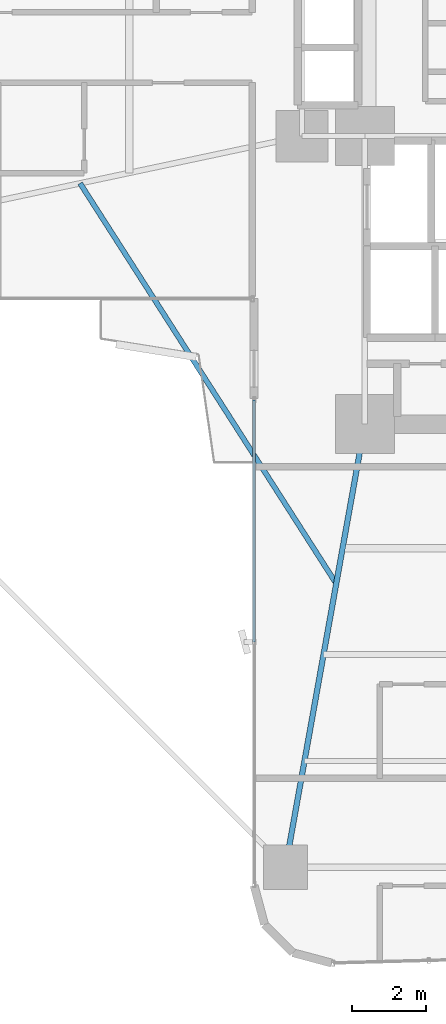
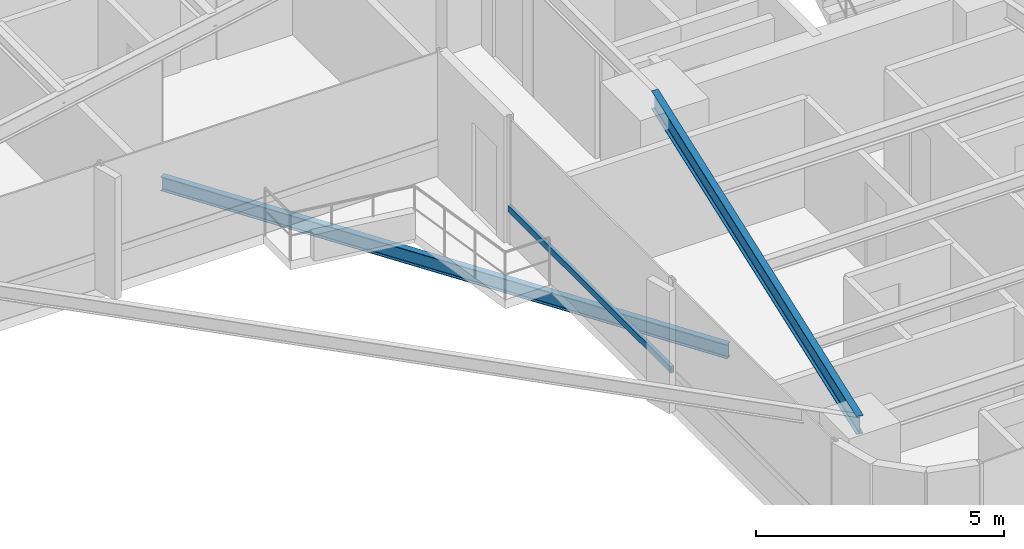
# One storey, part 3 of 25: 2 beams, 1 member, 1 element without a shape of its own.
"""IFC4 building model written with IfcOpenShell, lengths in metres."""

from ifc_helpers import new_model, si_unit, direction, frame, origin, origin_2d, place, context, subcontext, project, spatial, hollow_rectangle, i_section, extrude, source, transform, mapped, material, material_profile, profile_set, type_object, element, aggregate, save


model = new_model("IFC4")

# Units and contexts
model_context = context("Model", 3, precision=1e-05, world=origin(), true_north=direction((0.0, 1.0)))
body_context = subcontext(model_context, "Body", "Model", "MODEL_VIEW")
ifc_project = project(units=[si_unit("LENGTHUNIT", "METRE"), si_unit("AREAUNIT", "SQUARE_METRE"), si_unit("VOLUMEUNIT", "CUBIC_METRE"), si_unit("PLANEANGLEUNIT", "RADIAN"), si_unit("MASSUNIT", "GRAM", prefix="KILO")], contexts=[model_context])

# Site, building, storey
site_placement = place(None, origin())
site = spatial("IfcSite", under=ifc_project, at=site_placement, CompositionType="ELEMENT")
building_placement = place(site_placement, origin())
building = spatial("IfcBuilding", under=site, at=building_placement, Name="Sahyath Konkavel Grand Hotel", CompositionType="ELEMENT")
storey_placement = place(building_placement, frame((0.0, 0.0, 67.800048828125)))
storey = spatial("IfcBuildingStorey", under=building, at=storey_placement, Name="L18", CompositionType="ELEMENT", Elevation=67.800048828125)

# Beam
ifc_material_1 = material(Name="Steel E350", Category="steel")
ifc_material_profile_1 = material_profile(ifc_material_1, i_section(OverallWidth=0.14990234375, OverallDepth=0.449951171875, WebThickness=0.009521484375, FlangeThickness=0.017333984375, FilletRadius=0.014892578125, at=origin_2d()), Name="ISMB 450")
ifc_profile_set_1 = profile_set([ifc_material_profile_1], Name="Steel E350")
beam_type_1 = type_object("IfcBeamType", Name="BM-ISMB450", PredefinedType="BEAM", material=ifc_profile_set_1)
shared_shape_1 = source(origin(), body_context, "Body", "SweptSolid", [
    extrude(i_section(OverallWidth=0.14990234375, OverallDepth=0.449951171875, WebThickness=0.009521484375, FlangeThickness=0.017333984375, FilletRadius=0.014892578125, at=origin_2d()), origin(), (0.0, 0.0, 1.0), 12.191162109375),
])
beam_1_placement = place(storey_placement, frame((-3.800048828125, -10.199951171875, 2.885009765625), z_axis=(-0.176350650305, -0.984327409014, 0.0), x_axis=(0.984327409014, -0.176350650305, 0.0)))
element("IfcBeam", 1, at=beam_1_placement, inside=storey, type_object=beam_type_1, Name="L18 Cruciform Radial Girder SA", PredefinedType="BEAM", context=body_context, shape_type="MappedRepresentation", body=[
    mapped(shared_shape_1, transform((0.0, 0.0, 0.0), scale=1.0)),
])

# Curtain wall, member
ifc_material_2 = material(Name="Anodised Bronze Aluminium & Low-E Glazing", Category="aluminium")
curtain_wall_type = type_object("IfcCurtainWallType", Name="CW-ZONE1", PredefinedType="NOTDEFINED", material=ifc_material_2)
curtain_wall_placement = place(storey_placement, origin())
curtain_wall = element("IfcCurtainWall", 2, at=curtain_wall_placement, inside=storey, type_object=curtain_wall_type, Name="L18 Unitised Curtain Wall F24", PredefinedType="NOTDEFINED")
ifc_material_3 = material(Name="Anodised Bronze Aluminium", Category="aluminium")
ifc_material_profile_2 = material_profile(ifc_material_3, hollow_rectangle(XDim=0.080078125, YDim=0.159912109375, WallThickness=0.006103515625, at=origin_2d()), Name="RHS 160x80x6")
ifc_profile_set_2 = profile_set([ifc_material_profile_2], Name="Anodised Bronze Aluminium")
member_type = type_object("IfcMemberType", Name="CW-TRN-160", PredefinedType="USERDEFINED", material=ifc_profile_set_2)
shared_shape_2 = source(origin(), body_context, "Body", "SweptSolid", [
    extrude(hollow_rectangle(XDim=0.080078125, YDim=0.159912109375, WallThickness=0.006103515625, at=origin_2d()), origin(), (0.0, 0.0, 1.0), 6.56005859375),
])
member_placement = place(storey_placement, frame((-6.800048828125, -9.5400390625, 0.849853515625), z_axis=(0.0, -1.0, 0.0), x_axis=(1.0, 0.0, 0.0)))
member = element("IfcMember", 3, at=member_placement, type_object=member_type, Name="L18 Curtain Wall Transom F24-0-spandrel", ObjectType="TRANSOM", PredefinedType="USERDEFINED", context=body_context, shape_type="MappedRepresentation", body=[
    mapped(shared_shape_2, transform((0.0, 0.0, 0.0), scale=1.0)),
])
aggregate(curtain_wall, [member])

# Beam
ifc_material_profile_3 = material_profile(ifc_material_1, i_section(OverallWidth=0.139892578125, OverallDepth=0.35009765625, WebThickness=0.008056640625, FlangeThickness=0.01416015625, FilletRadius=0.013916015625, at=origin_2d()), Name="ISMB 350")
ifc_profile_set_3 = profile_set([ifc_material_profile_3], Name="Steel E350")
beam_type_2 = type_object("IfcBeamType", Name="BM-BALC-CANT", PredefinedType="BEAM", material=ifc_profile_set_3)
shared_shape_3 = source(origin(), body_context, "Body", "SweptSolid", [
    extrude(i_section(OverallWidth=0.139892578125, OverallDepth=0.35009765625, WebThickness=0.008056640625, FlangeThickness=0.01416015625, FilletRadius=0.013916015625, at=origin_2d()), origin(), (0.0, 0.0, 1.0), 12.871826171875),
])
beam_2_placement = place(storey_placement, frame((-11.511962890625, -3.677978515625, -0.4150390625), z_axis=(0.539003102535, -0.842303778608, 0.0), x_axis=(0.842303778608, 0.539003102535, 0.0)))
element("IfcBeam", 4, at=beam_2_placement, inside=storey, type_object=beam_type_2, Name="L18 Balcony Cantilever Support Beam SW", PredefinedType="BEAM", context=body_context, shape_type="MappedRepresentation", body=[
    mapped(shared_shape_3, transform((0.0, 0.0, 0.0), scale=1.0)),
])

save(model, "model.ifc")
